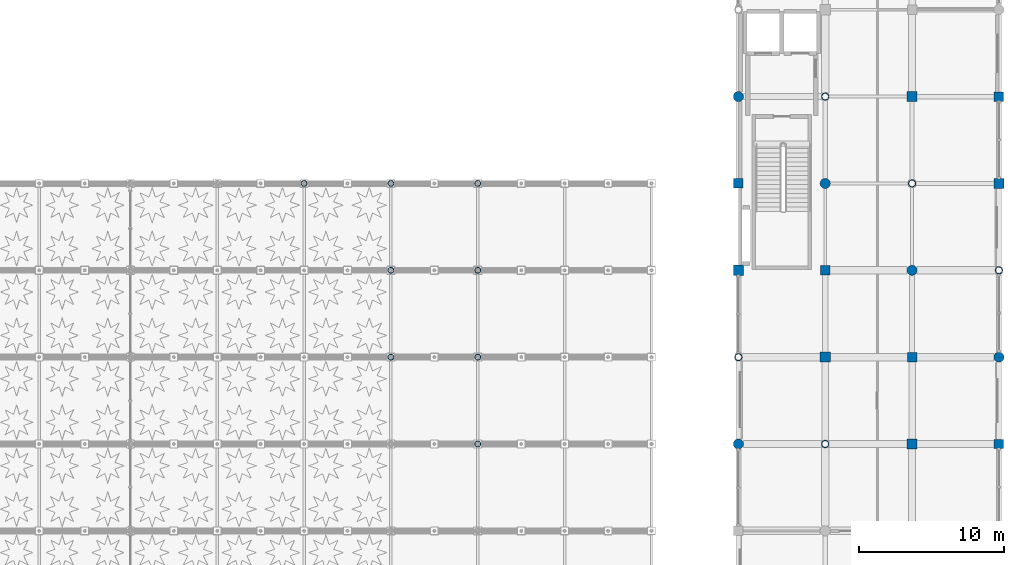
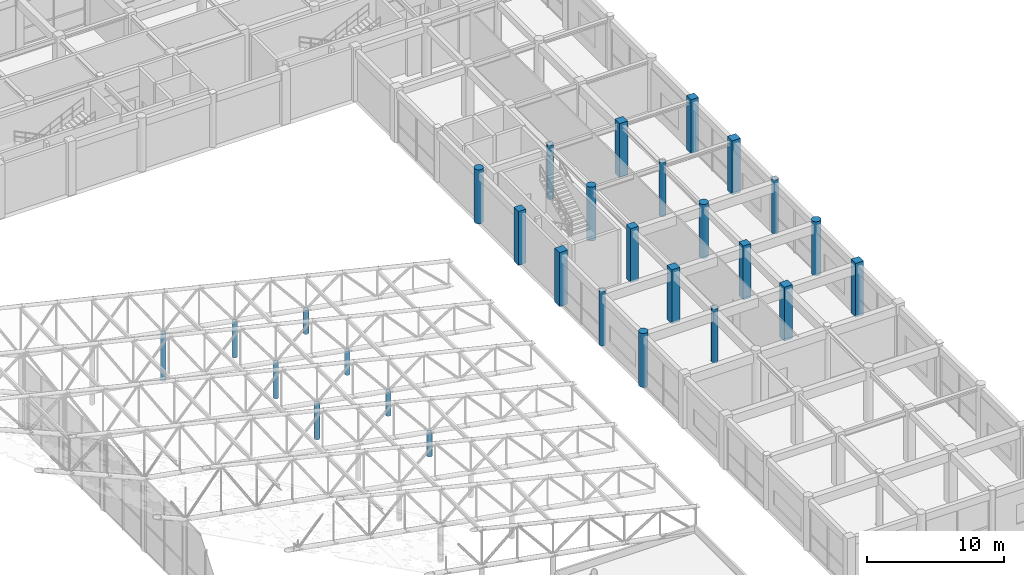
# One storey, part 14 of 112: 28 columns.
"""IFC4 building model written with IfcOpenShell, lengths in metres."""

import ifcopenshell
import ifcopenshell.guid

model = None  # the IFC model being written
_history = None  # IfcOwnerHistory: only IFC2X3 demands one
_inside = {}  # id of a spatial element -> (the spatial element, [elements in it])
_under = {}  # id of a project, library or spatial element -> (it, [spatial elements below it])
_declared = {}  # id of a project -> (the project, [libraries it declares])
_typed = {}  # id of a type object -> (the type object, [elements of that type])
_made_of = {}  # id of a material, layer set ... -> (it, [elements and type objects made of it])


def new_model(schema):
    """Start an empty IFC model of exactly this schema.

    Asked for "IFC4X3", IfcOpenShell would pick the latest addendum, in which some entities
    have other attributes; the version numbers below select the first issue.
    IFC2X3 requires an IfcOwnerHistory on every rooted entity: one is made here for all.
    """
    global model, _history
    if schema == "IFC4X3":
        model = ifcopenshell.file(schema_version=(4, 3, 0, 0))
    else:
        model = ifcopenshell.file(schema=schema)
    _inside.clear()
    _under.clear()
    _declared.clear()
    _typed.clear()
    _made_of.clear()
    _history = None
    if model.schema == "IFC2X3":
        org = make("IfcOrganization", Name="unknown")
        user = make(
            "IfcPersonAndOrganization",
            ThePerson=make("IfcPerson", FamilyName="unknown"),
            TheOrganization=org,
        )
        app = make(
            "IfcApplication",
            ApplicationDeveloper=org,
            Version="unknown",
            ApplicationFullName="unknown",
            ApplicationIdentifier="unknown",
        )
        _history = make(
            "IfcOwnerHistory",
            OwningUser=user,
            OwningApplication=app,
            ChangeAction="ADDED",
            CreationDate=0,
        )
    return model


def make(cls, **values):
    """One entity of the class cls with the attributes given. An attribute that is None is left unset."""
    return model.create_entity(
        cls, **{name: value for name, value in values.items() if value is not None}
    )


def rooted(cls, **values):
    """An entity with a GlobalId (a new one), such as an element, a storey or a relation."""
    return make(cls, GlobalId=ifcopenshell.guid.new(), OwnerHistory=_history, **values)


def si_unit(unit_type, name, prefix=None):
    """IfcSIUnit, for example si_unit("LENGTHUNIT", "METRE", prefix="MILLI")."""
    return make("IfcSIUnit", UnitType=unit_type, Prefix=prefix, Name=name)


def assignment(units):
    """IfcUnitAssignment: the units of a project."""
    return None if units is None else make("IfcUnitAssignment", Units=units)


def point(xyz):
    """IfcCartesianPoint."""
    return None if xyz is None else make("IfcCartesianPoint", Coordinates=xyz)


def direction(xyz):
    """IfcDirection."""
    return None if xyz is None else make("IfcDirection", DirectionRatios=xyz)


def frame(location, z_axis=None, x_axis=None):
    """IfcAxis2Placement3D, a coordinate frame: its origin and axes. An axis left out is left unset."""
    return make(
        "IfcAxis2Placement3D",
        Location=point(location),
        Axis=direction(z_axis),
        RefDirection=direction(x_axis),
    )


def frame_2d(location, x_axis=None):
    """IfcAxis2Placement2D, a coordinate frame in the plane: its origin and x axis."""
    return make(
        "IfcAxis2Placement2D", Location=point(location), RefDirection=direction(x_axis)
    )


def origin():
    """The frame at (0, 0, 0) with its axes left unset."""
    return frame((0.0, 0.0, 0.0))


def origin_2d():
    """The frame at (0, 0) in the plane with its x axis left unset."""
    return frame_2d((0.0, 0.0))


def place(relative_to, where):
    """IfcLocalPlacement: puts the frame where relative to a parent placement (None: the world)."""
    return make(
        "IfcLocalPlacement", PlacementRelTo=relative_to, RelativePlacement=where
    )


def context(
    kind, dimensions, precision=None, world=None, true_north=None, identifier=None
):
    """IfcGeometricRepresentationContext, for example the 3D "Model" context."""
    return make(
        "IfcGeometricRepresentationContext",
        ContextIdentifier=identifier,
        ContextType=kind,
        CoordinateSpaceDimension=dimensions,
        Precision=precision,
        WorldCoordinateSystem=world,
        TrueNorth=true_north,
    )


def subcontext(parent, identifier, kind, view, scale=None):
    """IfcGeometricRepresentationSubContext, for example "Body" below "Model"."""
    return make(
        "IfcGeometricRepresentationSubContext",
        ContextIdentifier=identifier,
        ContextType=kind,
        ParentContext=parent,
        TargetScale=scale,
        TargetView=view,
    )


def project(units=None, contexts=None):
    """IfcProject with its units and contexts."""
    return rooted(
        "IfcProject",
        Name="project",
        RepresentationContexts=contexts,
        UnitsInContext=assignment(units),
    )


def spatial(cls, under=None, at=None, **own):
    """A site, building, storey or space (cls), placed at a placement, below another one or the project."""
    s = rooted(cls, ObjectPlacement=at, **own)
    if under is not None:
        _under.setdefault(under.id(), (under, []))[1].append(s)
    return s


def profile(cls, at=None, kind="AREA", **sizes):
    """A parametric profile (cls). Its sizes go by their IFC names, for example OverallWidth=200.0."""
    return make(cls, ProfileType=kind, Position=at, **sizes)


def rectangle(**sizes):
    """IfcRectangleProfileDef."""
    return profile("IfcRectangleProfileDef", **sizes)


def circle(**sizes):
    """IfcCircleProfileDef."""
    return profile("IfcCircleProfileDef", **sizes)


def hollow_circle(**sizes):
    """IfcCircleHollowProfileDef."""
    return profile("IfcCircleHollowProfileDef", **sizes)


def extrude(swept, where, along, depth):
    """IfcExtrudedAreaSolid: the profile swept, set in the frame where, extruded along a direction by depth."""
    return make(
        "IfcExtrudedAreaSolid",
        SweptArea=swept,
        Position=where,
        ExtrudedDirection=direction(along),
        Depth=depth,
    )


def shape(context_of_items, identifier, shape_type, items):
    """IfcShapeRepresentation: the items that make up one representation, for example the "Body"."""
    return make(
        "IfcShapeRepresentation",
        ContextOfItems=context_of_items,
        RepresentationIdentifier=identifier,
        RepresentationType=shape_type,
        Items=items,
    )


def material(Name=None, Category=None):
    """IfcMaterial."""
    return make("IfcMaterial", Name=Name, Category=Category)


def material_profile(
    of_material, cross_section, Name=None, Category=None, Priority=None
):
    """IfcMaterialProfile: a cross section and its material."""
    return make(
        "IfcMaterialProfile",
        Name=Name,
        Material=of_material,
        Profile=cross_section,
        Priority=Priority,
        Category=Category,
    )


def profile_set(profiles, Name=None, composite=None):
    """IfcMaterialProfileSet."""
    return make(
        "IfcMaterialProfileSet",
        Name=Name,
        MaterialProfiles=profiles,
        CompositeProfile=composite,
    )


def made_of(thing, what):
    """Note that an element or type object is made of a material, layer set ...; save() writes the relation."""
    if what is not None:
        _made_of.setdefault(what.id(), (what, []))[1].append(thing)
    return thing


def type_object(cls, material=None, **own):
    """A type object (cls), such as IfcWallType, which elements share."""
    return made_of(rooted(cls, **own), material)


def element(
    cls,
    number,
    at=None,
    inside=None,
    cuts=None,
    type_object=None,
    material=None,
    context=None,
    identifier="Body",
    shape_type=None,
    held_by="IfcProductDefinitionShape",
    body=None,
    shapes=None,
    **own,
):
    """One element of the class cls, such as IfcWall. Its Tag is "e" and its number.

    at: its placement. inside: the storey or other place that contains it. cuts: it is an
    opening in that element (IfcRelVoidsElement). A single representation is given by context,
    identifier, shape_type and body (its items); several are given by shapes. held_by: the class
    of the entity that holds the representations. save() writes the other relations.
    """
    e = rooted(cls, Tag="e%d" % number, ObjectPlacement=at, **own)
    if body is not None:
        shapes = [shape(context, identifier, shape_type, body)]
    if shapes is not None:
        e.Representation = make(held_by, Representations=shapes)
    if inside is not None:
        _inside.setdefault(inside.id(), (inside, []))[1].append(e)
    if cuts is not None:
        rooted(
            "IfcRelVoidsElement", RelatingBuildingElement=cuts, RelatedOpeningElement=e
        )
    if type_object is not None:
        _typed.setdefault(type_object.id(), (type_object, []))[1].append(e)
    return made_of(e, material)


def aggregate(whole, parts):
    """IfcRelAggregates: a whole, such as a stair, and the parts it consists of."""
    return rooted("IfcRelAggregates", RelatingObject=whole, RelatedObjects=parts)


def save(model, path):
    """Write the relations noted so far, then the file.

    IfcRelAggregates (storeys below a building ...), IfcRelContainedInSpatialStructure (elements
    in a storey), IfcRelDefinesByType, IfcRelAssociatesMaterial and IfcRelDeclares: one each for
    every whole, place, type object, material and project.
    """
    for whole, parts in _under.values():
        aggregate(whole, parts)
    for where, things in _inside.values():
        rooted(
            "IfcRelContainedInSpatialStructure",
            RelatedElements=things,
            RelatingStructure=where,
        )
    for kind, things in _typed.values():
        rooted("IfcRelDefinesByType", RelatedObjects=things, RelatingType=kind)
    for what, things in _made_of.values():
        rooted("IfcRelAssociatesMaterial", RelatedObjects=things, RelatingMaterial=what)
    for by, libraries in _declared.values():
        rooted("IfcRelDeclares", RelatingContext=by, RelatedDefinitions=libraries)
    model.write(path)


model = new_model("IFC4")

# Units and contexts
model_context = context("Model", 3, precision=1e-05, world=origin(), true_north=direction((0.0, 1.0)))
body_context = subcontext(model_context, "Body", "Model", "MODEL_VIEW")
ifc_project = project(units=[si_unit("LENGTHUNIT", "METRE"), si_unit("AREAUNIT", "SQUARE_METRE"), si_unit("VOLUMEUNIT", "CUBIC_METRE"), si_unit("PLANEANGLEUNIT", "RADIAN"), si_unit("MASSUNIT", "GRAM", prefix="KILO"), si_unit("THERMODYNAMICTEMPERATUREUNIT", "KELVIN"), si_unit("POWERUNIT", "WATT")], contexts=[model_context])

# Site, building, storey
site_placement = place(None, origin())
site = spatial("IfcSite", under=ifc_project, at=site_placement, CompositionType="ELEMENT")
building_placement = place(site_placement, origin())
building = spatial("IfcBuilding", under=site, at=building_placement, Name="Phaisarnlok Congress Hotel", CompositionType="ELEMENT")
storey_placement = place(building_placement, frame((0.0, 0.0, 19.800048828125)))
storey = spatial("IfcBuildingStorey", under=building, at=storey_placement, Name="L04", CompositionType="ELEMENT", Elevation=19.800048828125)

# Columns
ifc_material_1 = material(Name="Concrete C50/60", Category="concrete")
ifc_material_profile_1 = material_profile(ifc_material_1, rectangle(XDim=0.64990234375, YDim=0.64990234375, at=origin_2d()), Name="RC 650x650")
ifc_profile_set_1 = profile_set([ifc_material_profile_1], Name="Concrete C50/60")
column_type_1 = type_object("IfcColumnType", Name="COL-RC-650", PredefinedType="COLUMN", material=ifc_profile_set_1)
for number, where, z_axis, x_axis, name in (
    (1, (162.0, 84.0, 0.0), (0.0, 0.0, 1.0), (1.0, 0.0, 0.0), "Column C-04 (L04)"),
    (2, (168.0, 78.0, 0.0), (0.0, 0.0, 1.0), (1.0, 0.0, 0.0), "Column C-04 (L04)"),
    (3, (174.0, 72.0, 0.0), (0.0, 0.0, 1.0), (1.0, 0.0, 0.0), "Column C-04 (L04)"),
):
    element("IfcColumn", number, at=place(storey_placement, frame(where, z_axis=z_axis, x_axis=x_axis)), inside=storey, type_object=column_type_1, Name=name, PredefinedType="COLUMN", context=body_context, shape_type="SweptSolid", body=[
        extrude(rectangle(XDim=0.64990234375, YDim=0.64990234375, at=origin_2d()), origin(), (0.0, 0.0, 1.0), 4.800048828125),
    ])
ifc_material_profile_2 = material_profile(ifc_material_1, rectangle(XDim=0.64990234375, YDim=0.64990234375, at=origin_2d()), Name="RC 650x650")
ifc_profile_set_2 = profile_set([ifc_material_profile_2], Name="Concrete C50/60")
column_type_2 = type_object("IfcColumnType", Name="COL-RC-650-EXT", PredefinedType="COLUMN", material=ifc_profile_set_2)
for number, where, z_axis, x_axis, name in (
    (4, (180.0, 66.0, 0.0), (0.0, 0.0, 1.0), (1.0, 0.0, 0.0), "Column C-04E (L04)"),
    (5, (180.0, 90.0, 0.0), (0.0, 0.0, 1.0), (1.0, 0.0, 0.0), "Column C-04E (L04)"),
):
    element("IfcColumn", number, at=place(storey_placement, frame(where, z_axis=z_axis, x_axis=x_axis)), inside=storey, type_object=column_type_2, Name=name, PredefinedType="COLUMN", context=body_context, shape_type="SweptSolid", body=[
        extrude(rectangle(XDim=0.64990234375, YDim=0.64990234375, at=origin_2d()), origin(), (0.0, 0.0, 1.0), 4.800048828125),
    ])
ifc_material_profile_3 = material_profile(ifc_material_1, rectangle(XDim=0.699951171875, YDim=0.699951171875, at=origin_2d()), Name="RC 700x700")
ifc_profile_set_3 = profile_set([ifc_material_profile_3], Name="Concrete C50/60")
column_type_3 = type_object("IfcColumnType", Name="COL-RC-700", PredefinedType="COLUMN", material=ifc_profile_set_3)
for number, where, z_axis, x_axis, name in (
    (6, (162.0, 78.0, 0.0), (0.0, 0.0, 1.0), (1.0, 0.0, 0.0), "Column C-05 (L04)"),
    (7, (168.0, 72.0, 0.0), (0.0, 0.0, 1.0), (1.0, 0.0, 0.0), "Column C-05 (L04)"),
    (8, (174.0, 66.0, 0.0), (0.0, 0.0, 1.0), (1.0, 0.0, 0.0), "Column C-05 (L04)"),
    (9, (174.0, 90.0, 0.0), (0.0, 0.0, 1.0), (1.0, 0.0, 0.0), "Column C-05 (L04)"),
):
    element("IfcColumn", number, at=place(storey_placement, frame(where, z_axis=z_axis, x_axis=x_axis)), inside=storey, type_object=column_type_3, Name=name, PredefinedType="COLUMN", context=body_context, shape_type="SweptSolid", body=[
        extrude(rectangle(XDim=0.699951171875, YDim=0.699951171875, at=origin_2d()), origin(), (0.0, 0.0, 1.0), 4.800048828125),
    ])
ifc_material_profile_4 = material_profile(ifc_material_1, rectangle(XDim=0.699951171875, YDim=0.699951171875, at=origin_2d()), Name="RC 700x700")
ifc_profile_set_4 = profile_set([ifc_material_profile_4], Name="Concrete C50/60")
column_type_4 = type_object("IfcColumnType", Name="COL-RC-700-EXT", PredefinedType="COLUMN", material=ifc_profile_set_4)
column_1_placement = place(storey_placement, frame((180.0, 84.0, 0.0), z_axis=(0.0, 0.0, 1.0), x_axis=(1.0, 0.0, 0.0)))
element("IfcColumn", 10, at=column_1_placement, inside=storey, type_object=column_type_4, Name="Column C-05E (L04)", PredefinedType="COLUMN", context=body_context, shape_type="SweptSolid", body=[
    extrude(rectangle(XDim=0.699951171875, YDim=0.699951171875, at=origin_2d()), origin(), (0.0, 0.0, 1.0), 4.800048828125),
])
ifc_material_profile_5 = material_profile(ifc_material_1, circle(Radius=0.35009765625, at=origin_2d()), Name="RCC D700")
ifc_profile_set_5 = profile_set([ifc_material_profile_5], Name="Concrete C50/60")
column_type_5 = type_object("IfcColumnType", Name="COL-RCC-700", PredefinedType="COLUMN", material=ifc_profile_set_5)
for number, where, z_axis, x_axis, name in (
    (11, (162.0, 66.0, 0.0), (0.0, 0.0, 1.0), (1.0, 0.0, 0.0), "Column C-13 (L04)"),
    (12, (162.0, 90.0, 0.0), (0.0, 0.0, 1.0), (1.0, 0.0, 0.0), "Column C-13 (L04)"),
    (13, (168.0, 84.0, 0.0), (0.0, 0.0, 1.0), (1.0, 0.0, 0.0), "Column C-13 (L04)"),
    (14, (174.0, 78.0, 0.0), (0.0, 0.0, 1.0), (1.0, 0.0, 0.0), "Column C-13 (L04)"),
):
    element("IfcColumn", number, at=place(storey_placement, frame(where, z_axis=z_axis, x_axis=x_axis)), inside=storey, type_object=column_type_5, Name=name, PredefinedType="COLUMN", context=body_context, shape_type="SweptSolid", body=[
        extrude(circle(Radius=0.35009765625, at=origin_2d()), origin(), (0.0, 0.0, 1.0), 4.800048828125),
    ])
ifc_material_profile_6 = material_profile(ifc_material_1, circle(Radius=0.35009765625, at=origin_2d()), Name="RCC D700")
ifc_profile_set_6 = profile_set([ifc_material_profile_6], Name="Concrete C50/60")
column_type_6 = type_object("IfcColumnType", Name="COL-RCC-700-EXT", PredefinedType="COLUMN", material=ifc_profile_set_6)
column_2_placement = place(storey_placement, frame((180.0, 72.0, 0.0), z_axis=(0.0, 0.0, 1.0), x_axis=(1.0, 0.0, 0.0)))
element("IfcColumn", 15, at=column_2_placement, inside=storey, type_object=column_type_6, Name="Column C-13E (L04)", PredefinedType="COLUMN", context=body_context, shape_type="SweptSolid", body=[
    extrude(circle(Radius=0.35009765625, at=origin_2d()), origin(), (0.0, 0.0, 1.0), 4.800048828125),
])
ifc_material_2 = material(Name="Steel S355", Category="steel")
ifc_material_profile_7 = material_profile(ifc_material_2, hollow_circle(Radius=0.203125, WallThickness=0.02001953125, at=origin_2d()), Name="CHS 406.4x20")
ifc_profile_set_7 = profile_set([ifc_material_profile_7], Name="Steel S355")
column_type_7 = type_object("IfcColumnType", Name="COL-STL-CHS406", PredefinedType="COLUMN", material=ifc_profile_set_7)
for number, where, z_axis, x_axis, name in (
    (16, (144.0, 66.0, 0.0), (0.0, 0.0, 1.0), (1.0, 0.0, 0.0), "Cloister wing-truss sloped bearing column extension SC-02 (L04)"),
    (17, (144.0, 72.0, 0.0), (0.0, 0.0, 1.0), (1.0, 0.0, 0.0), "Cloister wing-truss sloped bearing column extension SC-02 (L04)"),
):
    element("IfcColumn", number, at=place(storey_placement, frame(where, z_axis=z_axis, x_axis=x_axis)), inside=storey, type_object=column_type_7, Name=name, PredefinedType="COLUMN", context=body_context, shape_type="SweptSolid", body=[
        extrude(hollow_circle(Radius=0.203125, WallThickness=0.02001953125, at=origin_2d()), origin(), (0.0, 0.0, 1.0), 2.13330078125),
    ])
column_3_placement = place(storey_placement, frame((138.0, 72.0, 0.0), z_axis=(0.0, 0.0, 1.0), x_axis=(1.0, 0.0, 0.0)))
element("IfcColumn", 18, at=column_3_placement, inside=storey, type_object=column_type_7, Name="Cloister wing-truss sloped bearing column extension SC-02 (L04)", PredefinedType="COLUMN", context=body_context, shape_type="SweptSolid", body=[
    extrude(hollow_circle(Radius=0.203125, WallThickness=0.02001953125, at=origin_2d()), origin(), (0.0, 0.0, 1.0), 3.199951171875),
])
column_4_placement = place(storey_placement, frame((144.0, 78.0, 0.0), z_axis=(0.0, 0.0, 1.0), x_axis=(1.0, 0.0, 0.0)))
element("IfcColumn", 19, at=column_4_placement, inside=storey, type_object=column_type_7, Name="Cloister wing-truss sloped bearing column extension SC-02 (L04)", PredefinedType="COLUMN", context=body_context, shape_type="SweptSolid", body=[
    extrude(hollow_circle(Radius=0.203125, WallThickness=0.02001953125, at=origin_2d()), origin(), (0.0, 0.0, 1.0), 2.13330078125),
])
column_5_placement = place(storey_placement, frame((138.0, 78.0, 0.0), z_axis=(0.0, 0.0, 1.0), x_axis=(1.0, 0.0, 0.0)))
element("IfcColumn", 20, at=column_5_placement, inside=storey, type_object=column_type_7, Name="Cloister wing-truss sloped bearing column extension SC-02 (L04)", PredefinedType="COLUMN", context=body_context, shape_type="SweptSolid", body=[
    extrude(hollow_circle(Radius=0.203125, WallThickness=0.02001953125, at=origin_2d()), origin(), (0.0, 0.0, 1.0), 3.199951171875),
])
column_6_placement = place(storey_placement, frame((144.0, 84.0, 0.0), z_axis=(0.0, 0.0, 1.0), x_axis=(1.0, 0.0, 0.0)))
element("IfcColumn", 21, at=column_6_placement, inside=storey, type_object=column_type_7, Name="Cloister wing-truss sloped bearing column extension SC-02 (L04)", PredefinedType="COLUMN", context=body_context, shape_type="SweptSolid", body=[
    extrude(hollow_circle(Radius=0.203125, WallThickness=0.02001953125, at=origin_2d()), origin(), (0.0, 0.0, 1.0), 2.13330078125),
])
column_7_placement = place(storey_placement, frame((138.0, 84.0, 0.0), z_axis=(0.0, 0.0, 1.0), x_axis=(1.0, 0.0, 0.0)))
element("IfcColumn", 22, at=column_7_placement, inside=storey, type_object=column_type_7, Name="Cloister wing-truss sloped bearing column extension SC-02 (L04)", PredefinedType="COLUMN", context=body_context, shape_type="SweptSolid", body=[
    extrude(hollow_circle(Radius=0.203125, WallThickness=0.02001953125, at=origin_2d()), origin(), (0.0, 0.0, 1.0), 3.199951171875),
])
column_8_placement = place(storey_placement, frame((132.0, 84.0, 0.0), z_axis=(0.0, 0.0, 1.0), x_axis=(1.0, 0.0, 0.0)))
element("IfcColumn", 23, at=column_8_placement, inside=storey, type_object=column_type_7, Name="Cloister wing-truss sloped bearing column extension SC-02 (L04)", PredefinedType="COLUMN", context=body_context, shape_type="SweptSolid", body=[
    extrude(hollow_circle(Radius=0.203125, WallThickness=0.02001953125, at=origin_2d()), origin(), (0.0, 0.0, 1.0), 4.2666015625),
])
ifc_material_profile_8 = material_profile(ifc_material_2, hollow_circle(Radius=0.25390625, WallThickness=0.02490234375, at=origin_2d()), Name="CHS 508x25")
ifc_profile_set_8 = profile_set([ifc_material_profile_8], Name="Steel S355")
column_type_8 = type_object("IfcColumnType", Name="COL-STL-CHS508", PredefinedType="COLUMN", material=ifc_profile_set_8)
for number, where, z_axis, x_axis, name in (
    (24, (162.0, 72.0, 0.0), (0.0, 0.0, 1.0), (1.0, 0.0, 0.0), "Column SC-03 (L04)"),
    (25, (168.0, 66.0, 0.0), (0.0, 0.0, 1.0), (1.0, 0.0, 0.0), "Column SC-03 (L04)"),
    (26, (168.0, 90.0, 0.0), (0.0, 0.0, 1.0), (1.0, 0.0, 0.0), "Column SC-03 (L04)"),
    (27, (174.0, 84.0, 0.0), (0.0, 0.0, 1.0), (1.0, 0.0, 0.0), "Column SC-03 (L04)"),
):
    element("IfcColumn", number, at=place(storey_placement, frame(where, z_axis=z_axis, x_axis=x_axis)), inside=storey, type_object=column_type_8, Name=name, PredefinedType="COLUMN", context=body_context, shape_type="SweptSolid", body=[
        extrude(hollow_circle(Radius=0.25390625, WallThickness=0.02490234375, at=origin_2d()), origin(), (0.0, 0.0, 1.0), 4.800048828125),
    ])
ifc_material_profile_9 = material_profile(ifc_material_2, hollow_circle(Radius=0.25390625, WallThickness=0.02490234375, at=origin_2d()), Name="CHS 508x25")
ifc_profile_set_9 = profile_set([ifc_material_profile_9], Name="Steel S355")
column_type_9 = type_object("IfcColumnType", Name="COL-STL-CHS508-EXT", PredefinedType="COLUMN", material=ifc_profile_set_9)
column_9_placement = place(storey_placement, frame((180.0, 78.0, 0.0), z_axis=(0.0, 0.0, 1.0), x_axis=(1.0, 0.0, 0.0)))
element("IfcColumn", 28, at=column_9_placement, inside=storey, type_object=column_type_9, Name="Column SC-03E (L04)", PredefinedType="COLUMN", context=body_context, shape_type="SweptSolid", body=[
    extrude(hollow_circle(Radius=0.25390625, WallThickness=0.02490234375, at=origin_2d()), origin(), (0.0, 0.0, 1.0), 4.800048828125),
])

save(model, "model.ifc")
